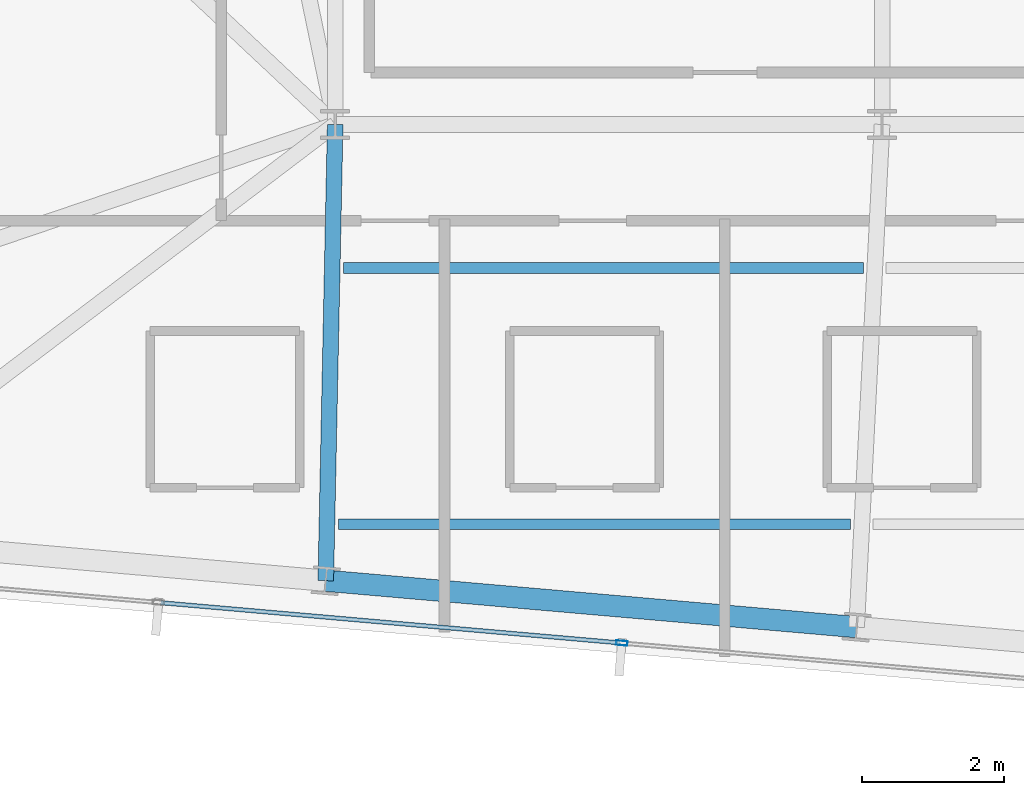
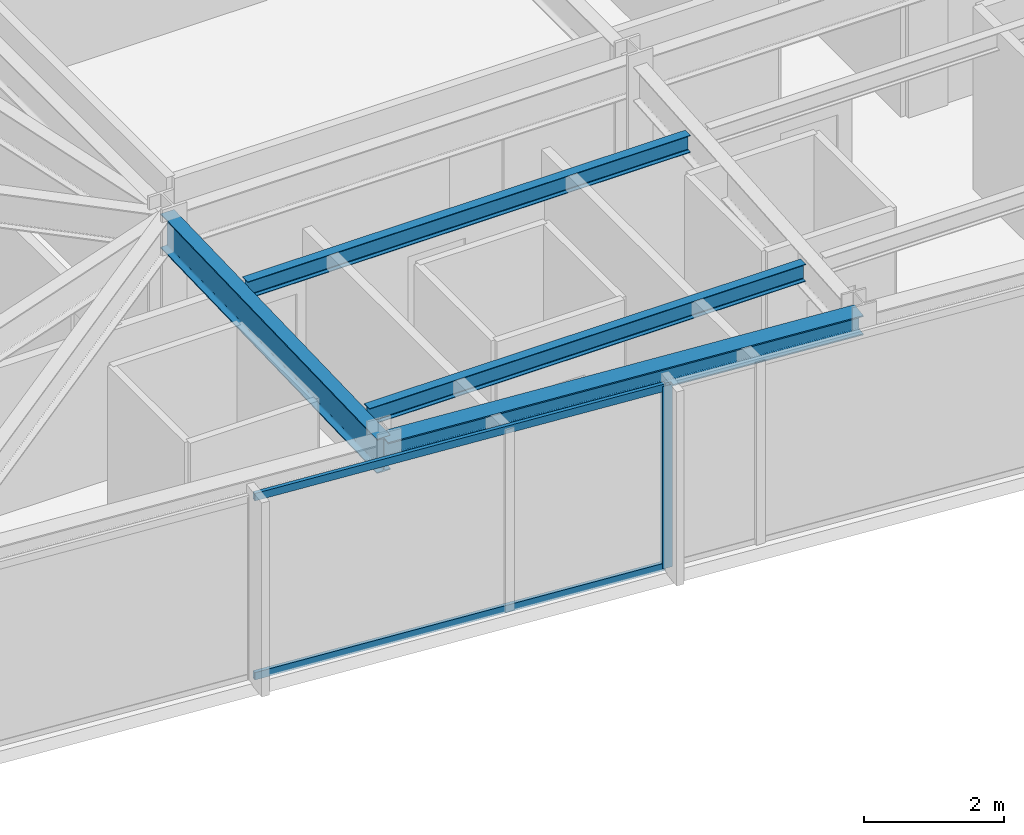
# One storey, part 6 of 33: 4 beams, 3 members, 1 element without a shape of its own.
"""IFC4 building model written with IfcOpenShell, lengths in metres."""

from ifc_helpers import new_model, si_unit, direction, frame, origin, origin_2d, place, context, subcontext, project, spatial, hollow_rectangle, i_section, extrude, material, material_profile, profile_set, type_object, element, aggregate, save


model = new_model("IFC4")

# Units and contexts
model_context = context("Model", 3, precision=1e-05, world=origin(), true_north=direction((0.0, 1.0)))
body_context = subcontext(model_context, "Body", "Model", "MODEL_VIEW")
ifc_project = project(units=[si_unit("LENGTHUNIT", "METRE"), si_unit("AREAUNIT", "SQUARE_METRE"), si_unit("VOLUMEUNIT", "CUBIC_METRE"), si_unit("PLANEANGLEUNIT", "RADIAN"), si_unit("MASSUNIT", "GRAM", prefix="KILO")], contexts=[model_context])

# Site, building, storey
site_placement = place(None, origin())
site = spatial("IfcSite", under=ifc_project, at=site_placement, CompositionType="ELEMENT")
building_placement = place(site_placement, origin())
building = spatial("IfcBuilding", under=site, at=building_placement, Name="Yelkora Congress Tower", CompositionType="ELEMENT")
storey_placement = place(building_placement, frame((0.0, 0.0, 289.699951171875)))
storey = spatial("IfcBuildingStorey", under=building, at=storey_placement, Name="L81", CompositionType="ELEMENT", Elevation=289.699951171875)

# Beams
ifc_material_1 = material(Name="Steel S355J2", Category="steel")
ifc_material_profile_1 = material_profile(ifc_material_1, i_section(OverallWidth=0.219970703125, OverallDepth=0.60009765625, WebThickness=0.011962890625, FlangeThickness=0.01904296875, FilletRadius=0.02392578125, at=origin_2d()), Name="IPE 600")
ifc_profile_set_1 = profile_set([ifc_material_profile_1], Name="Steel S355J2")
beam_type_1 = type_object("IfcBeamType", Name="BM-GIRD-IPE600", PredefinedType="BEAM", material=ifc_profile_set_1)
beam_1_placement = place(storey_placement, frame((22.90771484375, 18.793212890625, 2.880126953125), z_axis=(0.020649509667, 0.999786776143, 0.0), x_axis=(-0.999786776143, 0.020649509667, 0.0)))
element("IfcBeam", 1, at=beam_1_placement, inside=storey, type_object=beam_type_1, Name="L81 Primary Frame Girder S03", PredefinedType="BEAM", context=body_context, shape_type="SweptSolid", body=[
    extrude(i_section(OverallWidth=0.219970703125, OverallDepth=0.60009765625, WebThickness=0.011962890625, FlangeThickness=0.01904296875, FilletRadius=0.02392578125, at=origin_2d()), origin(), (0.0, 0.0, 1.0), 6.408203125),
])
ifc_material_profile_2 = material_profile(ifc_material_1, i_section(OverallWidth=0.14990234375, OverallDepth=0.300048828125, WebThickness=0.007080078125, FlangeThickness=0.0107421875, FilletRadius=0.014892578125, at=origin_2d()), Name="IPE 300")
ifc_profile_set_2 = profile_set([ifc_material_profile_2], Name="Steel S355J2")
beam_type_2 = type_object("IfcBeamType", Name="BM-JOIST-IPE300", PredefinedType="JOIST", material=ifc_profile_set_2)
beam_2_placement = place(storey_placement, frame((23.083984375, 19.58447265625, 3.030029296875), z_axis=(1.0, 0.0, 0.0), x_axis=(0.0, 1.0, 0.0)))
element("IfcBeam", 2, at=beam_2_placement, inside=storey, type_object=beam_type_2, Name="L81 Composite Floor Joist 1", PredefinedType="JOIST", context=body_context, shape_type="SweptSolid", body=[
    extrude(i_section(OverallWidth=0.14990234375, OverallDepth=0.300048828125, WebThickness=0.007080078125, FlangeThickness=0.0107421875, FilletRadius=0.014892578125, at=origin_2d()), origin(), (0.0, 0.0, 1.0), 7.191650390625),
])
beam_3_placement = place(storey_placement, frame((23.158447265625, 23.1845703125, 3.030029296875), z_axis=(1.0, 0.0, 0.0), x_axis=(0.0, 1.0, 0.0)))
element("IfcBeam", 3, at=beam_3_placement, inside=storey, type_object=beam_type_2, Name="L81 Composite Floor Joist 5", PredefinedType="JOIST", context=body_context, shape_type="SweptSolid", body=[
    extrude(i_section(OverallWidth=0.14990234375, OverallDepth=0.300048828125, WebThickness=0.007080078125, FlangeThickness=0.0107421875, FilletRadius=0.014892578125, at=origin_2d()), origin(), (0.0, 0.0, 1.0), 7.299560546875),
])
ifc_material_profile_3 = material_profile(ifc_material_1, i_section(OverallWidth=0.300048828125, OverallDepth=0.340087890625, WebThickness=0.011962890625, FlangeThickness=0.021484375, FilletRadius=0.027099609375, at=origin_2d()), Name="HEB 340")
ifc_profile_set_3 = profile_set([ifc_material_profile_3], Name="Steel S355J2")
beam_type_3 = type_object("IfcBeamType", Name="BM-SPAN-HEB340", PredefinedType="SPANDREL", material=ifc_profile_set_3)
beam_4_placement = place(storey_placement, frame((22.90771484375, 18.793212890625, 3.010009765625), z_axis=(0.99619601894, -0.087140644067, 0.0), x_axis=(0.087140644067, 0.99619601894, 0.0)))
element("IfcBeam", 4, at=beam_4_placement, inside=storey, type_object=beam_type_3, Name="L81 Perimeter Beam 3", PredefinedType="SPANDREL", context=body_context, shape_type="SweptSolid", body=[
    extrude(i_section(OverallWidth=0.300048828125, OverallDepth=0.340087890625, WebThickness=0.011962890625, FlangeThickness=0.021484375, FilletRadius=0.027099609375, at=origin_2d()), origin(), (0.0, 0.0, 1.0), 7.4833984375),
])

# Curtain wall, members
ifc_material_2 = material(Name="Anodised aluminium and insulated glass", Category="aluminium")
curtain_wall_type = type_object("IfcCurtainWallType", Name="CW-SYS-B5", PredefinedType="NOTDEFINED", material=ifc_material_2)
curtain_wall_placement = place(storey_placement, origin())
curtain_wall = element("IfcCurtainWall", 5, at=curtain_wall_placement, inside=storey, type_object=curtain_wall_type, Name="L81 Unitised Curtain Wall 20", PredefinedType="NOTDEFINED")
ifc_material_3 = material(Name="Anodised aluminium 6063-T6", Category="aluminium")
ifc_material_profile_4 = material_profile(ifc_material_3, hollow_rectangle(XDim=0.06494140625, YDim=0.159912109375, WallThickness=0.00390625, at=origin_2d()), Name="ALU 65x160x4")
ifc_profile_set_4 = profile_set([ifc_material_profile_4], Name="Anodised aluminium 6063-T6")
member_type_1 = type_object("IfcMemberType", Name="MEM-ML-B5", PredefinedType="MULLION", material=ifc_profile_set_4)
member_1_placement = place(storey_placement, frame((27.06494140625, 17.917724609375, 0.0), z_axis=(0.0, 0.0, 1.0), x_axis=(-0.087156829793, -0.996194602987, 0.0)))
member_1 = element("IfcMember", 6, at=member_1_placement, type_object=member_type_1, Name="CW-B5 mullion 5", PredefinedType="MULLION", context=body_context, shape_type="SweptSolid", body=[
    extrude(hollow_rectangle(XDim=0.06494140625, YDim=0.159912109375, WallThickness=0.00390625, at=origin_2d()), origin(), (0.0, 0.0, 1.0), 3.179931640625),
])
ifc_material_profile_5 = material_profile(ifc_material_3, hollow_rectangle(XDim=0.06005859375, YDim=0.1298828125, WallThickness=0.00390625, at=origin_2d()), Name="ALU 60x130x4")
ifc_profile_set_5 = profile_set([ifc_material_profile_5], Name="Anodised aluminium 6063-T6")
member_type_2 = type_object("IfcMemberType", Name="MEM-TR-B5", PredefinedType="USERDEFINED", material=ifc_profile_set_5)
member_2_placement = place(storey_placement, frame((27.032470703125, 17.920654296875, 0.030029296875), z_axis=(-0.996196257862, 0.087137912649, 0.0), x_axis=(-0.087137912649, -0.996196257862, 0.0)))
member_2 = element("IfcMember", 7, at=member_2_placement, type_object=member_type_2, Name="CW-B5 transom 5.1", ObjectType="TRANSOM", PredefinedType="USERDEFINED", context=body_context, shape_type="SweptSolid", body=[
    extrude(hollow_rectangle(XDim=0.06005859375, YDim=0.1298828125, WallThickness=0.00390625, at=origin_2d()), origin(), (0.0, 0.0, 1.0), 6.466552734375),
])
member_3_placement = place(storey_placement, frame((27.032470703125, 17.920654296875, 3.150146484375), z_axis=(-0.996196257862, 0.087137912649, 0.0), x_axis=(-0.087137912649, -0.996196257862, 0.0)))
member_3 = element("IfcMember", 8, at=member_3_placement, type_object=member_type_2, Name="CW-B5 transom 5.2", ObjectType="TRANSOM", PredefinedType="USERDEFINED", context=body_context, shape_type="SweptSolid", body=[
    extrude(hollow_rectangle(XDim=0.06005859375, YDim=0.1298828125, WallThickness=0.00390625, at=origin_2d()), origin(), (0.0, 0.0, 1.0), 6.466552734375),
])
aggregate(curtain_wall, [member_1, member_2, member_3])

save(model, "model.ifc")
